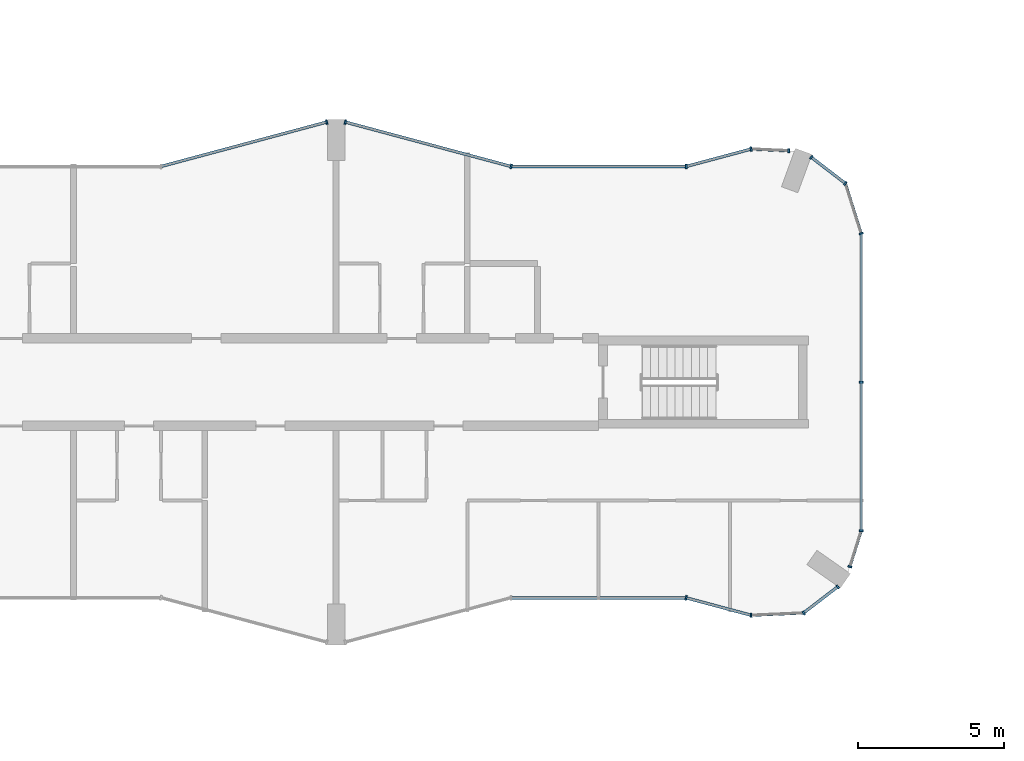
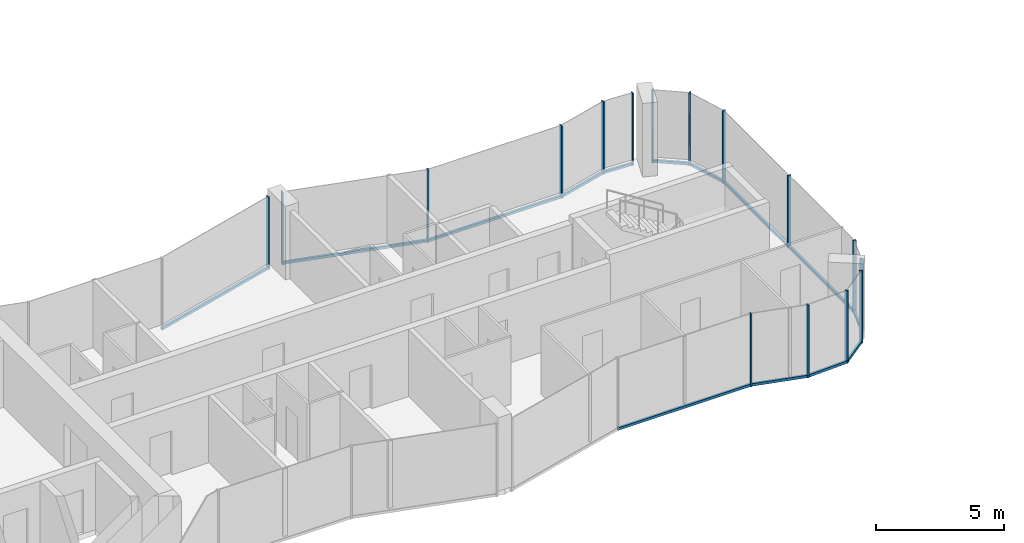
# One storey, part 5 of 19: 29 members, 13 elements without a shape of their own.
"""IFC4 building model written with IfcOpenShell, lengths in metres."""

from ifc_helpers import new_model, si_unit, direction, frame, origin, origin_2d, place, context, subcontext, project, spatial, rectangle, extrude, material, layer, layer_set, material_profile, profile_set, type_object, element, aggregate, save


model = new_model("IFC4")

# Units and contexts
model_context = context("Model", 3, precision=1e-05, world=origin(), true_north=direction((0.0, 1.0)))
body_context = subcontext(model_context, "Body", "Model", "MODEL_VIEW")
ifc_project = project(units=[si_unit("LENGTHUNIT", "METRE"), si_unit("AREAUNIT", "SQUARE_METRE"), si_unit("VOLUMEUNIT", "CUBIC_METRE"), si_unit("PLANEANGLEUNIT", "RADIAN"), si_unit("MASSUNIT", "GRAM", prefix="KILO")], contexts=[model_context])

# Site, building, storey
site_placement = place(None, origin())
site = spatial("IfcSite", under=ifc_project, at=site_placement, CompositionType="ELEMENT")
building_placement = place(site_placement, origin())
building = spatial("IfcBuilding", under=site, at=building_placement, Name="Plateau Cross Towers", CompositionType="ELEMENT")
storey_placement = place(building_placement, frame((0.0, 0.0, 120.300048828125)))
storey = spatial("IfcBuildingStorey", under=building, at=storey_placement, Name="L31", CompositionType="ELEMENT", Elevation=120.300048828125)

# Curtain wall, member
ifc_material_1 = material(Name="Dark low-iron glass", Category="glass")
ifc_layer_1 = layer(ifc_material_1, 0.239990234375)
ifc_layer_set_1 = layer_set([ifc_layer_1], Name="Dark low-iron glass")
curtain_wall_type_1 = type_object("IfcCurtainWallType", Name="Curtain wall flush unitised CW-B", PredefinedType="NOTDEFINED", material=ifc_layer_set_1)
curtain_wall_1_placement = place(storey_placement, origin())
curtain_wall_1 = element("IfcCurtainWall", 1, at=curtain_wall_1_placement, inside=storey, type_object=curtain_wall_type_1, Name="ENV/A/L31/A502_10", PredefinedType="NOTDEFINED")
ifc_material_2 = material(Name="Black anodised aluminium", Category="aluminium")
ifc_material_profile_1 = material_profile(ifc_material_2, rectangle(XDim=0.06005859375, YDim=0.139892578125, at=origin_2d()), Name="MULLION 60x140")
ifc_profile_set_1 = profile_set([ifc_material_profile_1], Name="Black anodised aluminium")
member_type_1 = type_object("IfcMemberType", Name="Mullion 60x140 flush unitised", PredefinedType="MULLION", material=ifc_profile_set_1)
member_1_placement = place(storey_placement, frame((50.223876953125, 1.01123046875, -0.25), z_axis=(0.0, 0.0, 1.0), x_axis=(0.999043701491, 0.043722791671, 0.0)))
member_1 = element("IfcMember", 2, at=member_1_placement, type_object=member_type_1, Name="CW-B mullion 1", PredefinedType="MULLION", context=body_context, shape_type="SweptSolid", body=[
    extrude(rectangle(XDim=0.06005859375, YDim=0.139892578125, at=origin_2d()), origin(), (0.0, 0.0, 1.0), 3.449951171875),
])

# Curtain wall, members
curtain_wall_2_placement = place(storey_placement, origin())
curtain_wall_2 = element("IfcCurtainWall", 3, at=curtain_wall_2_placement, inside=storey, type_object=curtain_wall_type_1, Name="ENV/A/L31/A520_11", PredefinedType="NOTDEFINED")
member_2_placement = place(storey_placement, frame((52.0263671875, 1.090087890625, -0.25), z_axis=(0.0, 0.0, 1.0), x_axis=(0.793315514529, 0.608810721331, 0.0)))
member_2 = element("IfcMember", 4, at=member_2_placement, type_object=member_type_1, Name="CW-B mullion 1", PredefinedType="MULLION", context=body_context, shape_type="SweptSolid", body=[
    extrude(rectangle(XDim=0.06005859375, YDim=0.139892578125, at=origin_2d()), origin(), (0.0, 0.0, 1.0), 3.449951171875),
])
member_3_placement = place(storey_placement, frame((53.193603515625, 1.986083984375, -0.25), z_axis=(0.0, 0.0, 1.0), x_axis=(0.793315514529, 0.608810721331, 0.0)))
member_3 = element("IfcMember", 5, at=member_3_placement, type_object=member_type_1, Name="CW-B mullion 2", PredefinedType="MULLION", context=body_context, shape_type="SweptSolid", body=[
    extrude(rectangle(XDim=0.06005859375, YDim=0.139892578125, at=origin_2d()), origin(), (0.0, 0.0, 1.0), 3.449951171875),
])

# Curtain wall, member
curtain_wall_3_placement = place(storey_placement, origin())
curtain_wall_3 = element("IfcCurtainWall", 6, at=curtain_wall_3_placement, inside=storey, type_object=curtain_wall_type_1, Name="ENV/A/L31/A536_27", PredefinedType="NOTDEFINED")
member_4_placement = place(storey_placement, frame((53.611083984375, 2.67529296875, -0.25), z_axis=(0.0, 0.0, 1.0), x_axis=(0.300686174994, 0.95372313811, 0.0)))
member_4 = element("IfcMember", 7, at=member_4_placement, type_object=member_type_1, Name="CW-B mullion 1", PredefinedType="MULLION", context=body_context, shape_type="SweptSolid", body=[
    extrude(rectangle(XDim=0.06005859375, YDim=0.139892578125, at=origin_2d()), origin(), (0.0, 0.0, 1.0), 3.449951171875),
])

# Curtain wall, members
curtain_wall_4_placement = place(storey_placement, origin())
curtain_wall_4 = element("IfcCurtainWall", 8, at=curtain_wall_4_placement, inside=storey, type_object=curtain_wall_type_1, Name="ENV/A/L31/A540_39", PredefinedType="NOTDEFINED")
member_5_placement = place(storey_placement, frame((54.0, 3.9091796875, -0.25), z_axis=(0.0, 0.0, 1.0), x_axis=(0.0, 1.0, 0.0)))
member_5 = element("IfcMember", 9, at=member_5_placement, type_object=member_type_1, Name="CW-B mullion 1", PredefinedType="MULLION", context=body_context, shape_type="SweptSolid", body=[
    extrude(rectangle(XDim=0.06005859375, YDim=0.139892578125, at=origin_2d()), origin(), (0.0, 0.0, 1.0), 3.449951171875),
])
member_6_placement = place(storey_placement, frame((54.0, 9.0, -0.25), z_axis=(0.0, 0.0, 1.0), x_axis=(0.0, 1.0, 0.0)))
member_6 = element("IfcMember", 10, at=member_6_placement, type_object=member_type_1, Name="CW-B mullion 2", PredefinedType="MULLION", context=body_context, shape_type="SweptSolid", body=[
    extrude(rectangle(XDim=0.06005859375, YDim=0.139892578125, at=origin_2d()), origin(), (0.0, 0.0, 1.0), 3.449951171875),
])

# Curtain wall, member
curtain_wall_5_placement = place(storey_placement, origin())
curtain_wall_5 = element("IfcCurtainWall", 11, at=curtain_wall_5_placement, inside=storey, type_object=curtain_wall_type_1, Name="ENV/A/L31/A540_141", PredefinedType="NOTDEFINED")
member_7_placement = place(storey_placement, frame((54.0, 14.0908203125, -0.25), z_axis=(0.0, 0.0, 1.0), x_axis=(-0.300686174994, 0.95372313811, 0.0)))
member_7 = element("IfcMember", 12, at=member_7_placement, type_object=member_type_1, Name="CW-B mullion 1", PredefinedType="MULLION", context=body_context, shape_type="SweptSolid", body=[
    extrude(rectangle(XDim=0.06005859375, YDim=0.139892578125, at=origin_2d()), origin(), (0.0, 0.0, 1.0), 3.449951171875),
])

# Curtain wall, members
curtain_wall_6_placement = place(storey_placement, origin())
curtain_wall_6 = element("IfcCurtainWall", 13, at=curtain_wall_6_placement, inside=storey, type_object=curtain_wall_type_1, Name="ENV/A/L31/A535_158", PredefinedType="NOTDEFINED")
member_8_placement = place(storey_placement, frame((53.45751953125, 15.8115234375, -0.25), z_axis=(0.0, 0.0, 1.0), x_axis=(-0.793315514529, 0.608810721331, 0.0)))
member_8 = element("IfcMember", 14, at=member_8_placement, type_object=member_type_1, Name="CW-B mullion 1", PredefinedType="MULLION", context=body_context, shape_type="SweptSolid", body=[
    extrude(rectangle(XDim=0.06005859375, YDim=0.139892578125, at=origin_2d()), origin(), (0.0, 0.0, 1.0), 3.449951171875),
])
member_9_placement = place(storey_placement, frame((52.290283203125, 16.707275390625, -0.25), z_axis=(0.0, 0.0, 1.0), x_axis=(-0.793315514529, 0.608810721331, 0.0)))
member_9 = element("IfcMember", 15, at=member_9_placement, type_object=member_type_1, Name="CW-B mullion 2", PredefinedType="MULLION", context=body_context, shape_type="SweptSolid", body=[
    extrude(rectangle(XDim=0.06005859375, YDim=0.139892578125, at=origin_2d()), origin(), (0.0, 0.0, 1.0), 3.449951171875),
])

# Curtain wall, member
curtain_wall_7_placement = place(storey_placement, origin())
curtain_wall_7 = element("IfcCurtainWall", 16, at=curtain_wall_7_placement, inside=storey, type_object=curtain_wall_type_1, Name="ENV/A/L31/A515_169", PredefinedType="NOTDEFINED")
member_10_placement = place(storey_placement, frame((51.516357421875, 16.93212890625, -0.25), z_axis=(0.0, 0.0, 1.0), x_axis=(-0.999043701491, 0.043722791671, 0.0)))
member_10 = element("IfcMember", 17, at=member_10_placement, type_object=member_type_1, Name="CW-B mullion 1", PredefinedType="MULLION", context=body_context, shape_type="SweptSolid", body=[
    extrude(rectangle(XDim=0.06005859375, YDim=0.139892578125, at=origin_2d()), origin(), (0.0, 0.0, 1.0), 3.449951171875),
])

ifc_layer_2 = layer(ifc_material_1, 0.260009765625)
ifc_layer_set_2 = layer_set([ifc_layer_2], Name="Dark low-iron glass")
curtain_wall_type_2 = type_object("IfcCurtainWallType", Name="Curtain wall fluted unitised CW-A", PredefinedType="NOTDEFINED", material=ifc_layer_set_2)
curtain_wall_8_placement = place(storey_placement, origin())
curtain_wall_8 = element("IfcCurtainWall", 18, at=curtain_wall_8_placement, inside=storey, type_object=curtain_wall_type_2, Name="ENV/A/L31/A480_16", PredefinedType="NOTDEFINED")
ifc_material_profile_2 = material_profile(ifc_material_2, rectangle(XDim=0.06005859375, YDim=0.159912109375, at=origin_2d()), Name="MULLION 60x160")
ifc_profile_set_2 = profile_set([ifc_material_profile_2], Name="Black anodised aluminium")
member_type_2 = type_object("IfcMemberType", Name="Mullion 60x160 fluted unitised", PredefinedType="MULLION", material=ifc_profile_set_2)
member_11_placement = place(storey_placement, frame((48.0, 1.60693359375, -0.25), z_axis=(0.0, 0.0, 1.0), x_axis=(0.965957962328, -0.258699081978, 0.0)))
member_11 = element("IfcMember", 19, at=member_11_placement, type_object=member_type_2, Name="CW-A mullion 1", PredefinedType="MULLION", context=body_context, shape_type="SweptSolid", body=[
    extrude(rectangle(XDim=0.06005859375, YDim=0.159912109375, at=origin_2d()), origin(), (0.0, 0.0, 1.0), 3.449951171875),
])

curtain_wall_9_placement = place(storey_placement, origin())
curtain_wall_9 = element("IfcCurtainWall", 20, at=curtain_wall_9_placement, inside=storey, type_object=curtain_wall_type_2, Name="ENV/A/L31/A502_170", PredefinedType="NOTDEFINED")
member_12_placement = place(storey_placement, frame((50.223876953125, 16.98876953125, -0.25), z_axis=(0.0, 0.0, 1.0), x_axis=(-0.965957962328, -0.258699081978, 0.0)))
member_12 = element("IfcMember", 21, at=member_12_placement, type_object=member_type_2, Name="CW-A mullion 1", PredefinedType="MULLION", context=body_context, shape_type="SweptSolid", body=[
    extrude(rectangle(XDim=0.06005859375, YDim=0.159912109375, at=origin_2d()), origin(), (0.0, 0.0, 1.0), 3.449951171875),
])

curtain_wall_10_placement = place(storey_placement, origin())
curtain_wall_10 = element("IfcCurtainWall", 22, at=curtain_wall_10_placement, inside=storey, type_object=curtain_wall_type_2, Name="ENV/A/L31/A480_164", PredefinedType="NOTDEFINED")
member_13_placement = place(storey_placement, frame((48.0, 16.39306640625, -0.25), z_axis=(0.0, 0.0, 1.0), x_axis=(-1.0, 0.0, 0.0)))
member_13 = element("IfcMember", 23, at=member_13_placement, type_object=member_type_2, Name="CW-A mullion 1", PredefinedType="MULLION", context=body_context, shape_type="SweptSolid", body=[
    extrude(rectangle(XDim=0.06005859375, YDim=0.159912109375, at=origin_2d()), origin(), (0.0, 0.0, 1.0), 3.449951171875),
])

# Curtain wall, members
curtain_wall_11_placement = place(storey_placement, origin())
curtain_wall_11 = element("IfcCurtainWall", 24, at=curtain_wall_11_placement, inside=storey, type_object=curtain_wall_type_2, Name="ENV/A/L31/A420_164", PredefinedType="NOTDEFINED")
member_14_placement = place(storey_placement, frame((42.0, 16.39306640625, -0.25), z_axis=(0.0, 0.0, 1.0), x_axis=(-0.965957983404, 0.258699003279, 0.0)))
member_14 = element("IfcMember", 25, at=member_14_placement, type_object=member_type_2, Name="CW-A mullion 1", PredefinedType="MULLION", context=body_context, shape_type="SweptSolid", body=[
    extrude(rectangle(XDim=0.06005859375, YDim=0.159912109375, at=origin_2d()), origin(), (0.0, 0.0, 1.0), 3.449951171875),
])
member_15_placement = place(storey_placement, frame((36.31787109375, 17.914794921875, -0.25), z_axis=(0.0, 0.0, 1.0), x_axis=(-0.965957983404, 0.258699003279, 0.0)))
member_15 = element("IfcMember", 26, at=member_15_placement, type_object=member_type_2, Name="CW-A mullion 2", PredefinedType="MULLION", context=body_context, shape_type="SweptSolid", body=[
    extrude(rectangle(XDim=0.06005859375, YDim=0.159912109375, at=origin_2d()), origin(), (0.0, 0.0, 1.0), 3.449951171875),
])

# Curtain wall, member
curtain_wall_12_placement = place(storey_placement, origin())
curtain_wall_12 = element("IfcCurtainWall", 27, at=curtain_wall_12_placement, inside=storey, type_object=curtain_wall_type_2, Name="ENV/A/L31/A357_179", PredefinedType="NOTDEFINED")
member_16_placement = place(storey_placement, frame((35.68212890625, 17.914794921875, -0.25), z_axis=(0.0, 0.0, 1.0), x_axis=(-0.965957983404, -0.258699003279, 0.0)))
member_16 = element("IfcMember", 28, at=member_16_placement, type_object=member_type_2, Name="CW-A mullion 1", PredefinedType="MULLION", context=body_context, shape_type="SweptSolid", body=[
    extrude(rectangle(XDim=0.06005859375, YDim=0.159912109375, at=origin_2d()), origin(), (0.0, 0.0, 1.0), 3.449951171875),
])

# Member
ifc_material_profile_3 = material_profile(ifc_material_2, rectangle(XDim=0.10009765625, YDim=0.1201171875, at=origin_2d()), Name="TRANSOM 100x120")
ifc_profile_set_3 = profile_set([ifc_material_profile_3], Name="Black anodised aluminium")
member_type_3 = type_object("IfcMemberType", Name="Transom 100x120 flush unitised", PredefinedType="USERDEFINED", material=ifc_profile_set_3)
member_17_placement = place(storey_placement, frame((50.223876953125, 1.01123046875, -0.18994140625), z_axis=(0.999044377355, 0.043707345779, 0.0), x_axis=(-0.043707345779, 0.999044377355, 0.0)))
member_17 = element("IfcMember", 29, at=member_17_placement, type_object=member_type_3, Name="CW-B transom", ObjectType="TRANSOM", PredefinedType="USERDEFINED", context=body_context, shape_type="SweptSolid", body=[
    extrude(rectangle(XDim=0.10009765625, YDim=0.1201171875, at=origin_2d()), origin(), (0.0, 0.0, 1.0), 1.80419921875),
])

aggregate(curtain_wall_1, [member_1, member_17])

member_18_placement = place(storey_placement, frame((52.0263671875, 1.090087890625, -0.18994140625), z_axis=(0.793240368515, 0.608908628415, 0.0), x_axis=(-0.608908628415, 0.793240368515, 0.0)))
member_18 = element("IfcMember", 30, at=member_18_placement, type_object=member_type_3, Name="CW-B transom", ObjectType="TRANSOM", PredefinedType="USERDEFINED", context=body_context, shape_type="SweptSolid", body=[
    extrude(rectangle(XDim=0.10009765625, YDim=0.1201171875, at=origin_2d()), origin(), (0.0, 0.0, 1.0), 1.471435546875),
])

aggregate(curtain_wall_2, [member_2, member_3, member_18])

member_19_placement = place(storey_placement, frame((53.611083984375, 2.67529296875, -0.18994140625), z_axis=(0.300616528216, 0.953745093284, 0.0), x_axis=(-0.953745093284, 0.300616528216, 0.0)))
member_19 = element("IfcMember", 31, at=member_19_placement, type_object=member_type_3, Name="CW-B transom", ObjectType="TRANSOM", PredefinedType="USERDEFINED", context=body_context, shape_type="SweptSolid", body=[
    extrude(rectangle(XDim=0.10009765625, YDim=0.1201171875, at=origin_2d()), origin(), (0.0, 0.0, 1.0), 1.293701171875),
])

aggregate(curtain_wall_3, [member_4, member_19])

member_20_placement = place(storey_placement, frame((54.0, 3.9091796875, -0.18994140625), z_axis=(0.0, 1.0, 0.0), x_axis=(-1.0, 0.0, 0.0)))
member_20 = element("IfcMember", 32, at=member_20_placement, type_object=member_type_3, Name="CW-B transom", ObjectType="TRANSOM", PredefinedType="USERDEFINED", context=body_context, shape_type="SweptSolid", body=[
    extrude(rectangle(XDim=0.10009765625, YDim=0.1201171875, at=origin_2d()), origin(), (0.0, 0.0, 1.0), 10.181640625),
])

aggregate(curtain_wall_4, [member_5, member_6, member_20])

member_21_placement = place(storey_placement, frame((54.0, 14.0908203125, -0.18994140625), z_axis=(-0.30067799945, 0.953725715626, 0.0), x_axis=(-0.953725715626, -0.30067799945, 0.0)))
member_21 = element("IfcMember", 33, at=member_21_placement, type_object=member_type_3, Name="CW-B transom", ObjectType="TRANSOM", PredefinedType="USERDEFINED", context=body_context, shape_type="SweptSolid", body=[
    extrude(rectangle(XDim=0.10009765625, YDim=0.1201171875, at=origin_2d()), origin(), (0.0, 0.0, 1.0), 1.80419921875),
])

aggregate(curtain_wall_5, [member_7, member_21])

member_22_placement = place(storey_placement, frame((53.45751953125, 15.8115234375, -0.18994140625), z_axis=(-0.793320508571, 0.608804213751, 0.0), x_axis=(-0.608804213751, -0.793320508571, 0.0)))
member_22 = element("IfcMember", 34, at=member_22_placement, type_object=member_type_3, Name="CW-B transom", ObjectType="TRANSOM", PredefinedType="USERDEFINED", context=body_context, shape_type="SweptSolid", body=[
    extrude(rectangle(XDim=0.10009765625, YDim=0.1201171875, at=origin_2d()), origin(), (0.0, 0.0, 1.0), 1.471435546875),
])

aggregate(curtain_wall_6, [member_8, member_9, member_22])

member_23_placement = place(storey_placement, frame((51.516357421875, 16.93212890625, -0.18994140625), z_axis=(-0.999041144614, 0.043781175963, 0.0), x_axis=(-0.043781175963, -0.999041144614, 0.0)))
member_23 = element("IfcMember", 35, at=member_23_placement, type_object=member_type_3, Name="CW-B transom", ObjectType="TRANSOM", PredefinedType="USERDEFINED", context=body_context, shape_type="SweptSolid", body=[
    extrude(rectangle(XDim=0.10009765625, YDim=0.1201171875, at=origin_2d()), origin(), (0.0, 0.0, 1.0), 1.293701171875),
])

aggregate(curtain_wall_7, [member_10, member_23])

# Curtain wall, member
curtain_wall_13_placement = place(storey_placement, origin())
curtain_wall_13 = element("IfcCurtainWall", 36, at=curtain_wall_13_placement, inside=storey, type_object=curtain_wall_type_2, Name="ENV/A/L31/A420_16", PredefinedType="NOTDEFINED")
ifc_material_profile_4 = material_profile(ifc_material_2, rectangle(XDim=0.10009765625, YDim=0.1201171875, at=origin_2d()), Name="TRANSOM 100x120")
ifc_profile_set_4 = profile_set([ifc_material_profile_4], Name="Black anodised aluminium")
member_type_4 = type_object("IfcMemberType", Name="Transom 100x120 fluted unitised", PredefinedType="USERDEFINED", material=ifc_profile_set_4)
member_24_placement = place(storey_placement, frame((42.0, 1.60693359375, -0.18994140625), z_axis=(1.0, 0.0, 0.0), x_axis=(0.0, 1.0, 0.0)))
member_24 = element("IfcMember", 37, at=member_24_placement, type_object=member_type_4, Name="CW-A transom", ObjectType="TRANSOM", PredefinedType="USERDEFINED", context=body_context, shape_type="SweptSolid", body=[
    extrude(rectangle(XDim=0.10009765625, YDim=0.1201171875, at=origin_2d()), origin(), (0.0, 0.0, 1.0), 6.0),
])
aggregate(curtain_wall_13, [member_24])

# Member
member_25_placement = place(storey_placement, frame((48.0, 1.60693359375, -0.18994140625), z_axis=(0.965945685136, -0.258744919501, 0.0), x_axis=(0.258744919501, 0.965945685136, 0.0)))
member_25 = element("IfcMember", 38, at=member_25_placement, type_object=member_type_4, Name="CW-A transom", ObjectType="TRANSOM", PredefinedType="USERDEFINED", context=body_context, shape_type="SweptSolid", body=[
    extrude(rectangle(XDim=0.10009765625, YDim=0.1201171875, at=origin_2d()), origin(), (0.0, 0.0, 1.0), 2.30224609375),
])

aggregate(curtain_wall_8, [member_11, member_25])

member_26_placement = place(storey_placement, frame((50.223876953125, 16.98876953125, -0.18994140625), z_axis=(-0.965945685136, -0.258744919501, 0.0), x_axis=(0.258744919501, -0.965945685136, 0.0)))
member_26 = element("IfcMember", 39, at=member_26_placement, type_object=member_type_4, Name="CW-A transom", ObjectType="TRANSOM", PredefinedType="USERDEFINED", context=body_context, shape_type="SweptSolid", body=[
    extrude(rectangle(XDim=0.10009765625, YDim=0.1201171875, at=origin_2d()), origin(), (0.0, 0.0, 1.0), 2.30224609375),
])

aggregate(curtain_wall_9, [member_12, member_26])

member_27_placement = place(storey_placement, frame((48.0, 16.39306640625, -0.18994140625), z_axis=(-1.0, 0.0, 0.0), x_axis=(0.0, -1.0, 0.0)))
member_27 = element("IfcMember", 40, at=member_27_placement, type_object=member_type_4, Name="CW-A transom", ObjectType="TRANSOM", PredefinedType="USERDEFINED", context=body_context, shape_type="SweptSolid", body=[
    extrude(rectangle(XDim=0.10009765625, YDim=0.1201171875, at=origin_2d()), origin(), (0.0, 0.0, 1.0), 6.0),
])

aggregate(curtain_wall_10, [member_13, member_27])

member_28_placement = place(storey_placement, frame((42.0, 16.39306640625, -0.18994140625), z_axis=(-0.965959534794, 0.258693210465, 0.0), x_axis=(-0.258693210465, -0.965959534794, 0.0)))
member_28 = element("IfcMember", 41, at=member_28_placement, type_object=member_type_4, Name="CW-A transom", ObjectType="TRANSOM", PredefinedType="USERDEFINED", context=body_context, shape_type="SweptSolid", body=[
    extrude(rectangle(XDim=0.10009765625, YDim=0.1201171875, at=origin_2d()), origin(), (0.0, 0.0, 1.0), 5.88232421875),
])

aggregate(curtain_wall_11, [member_14, member_15, member_28])

member_29_placement = place(storey_placement, frame((35.68212890625, 17.914794921875, -0.18994140625), z_axis=(-0.965959534794, -0.258693210465, 0.0), x_axis=(0.258693210465, -0.965959534794, 0.0)))
member_29 = element("IfcMember", 42, at=member_29_placement, type_object=member_type_4, Name="CW-A transom", ObjectType="TRANSOM", PredefinedType="USERDEFINED", context=body_context, shape_type="SweptSolid", body=[
    extrude(rectangle(XDim=0.10009765625, YDim=0.1201171875, at=origin_2d()), origin(), (0.0, 0.0, 1.0), 5.88232421875),
])

aggregate(curtain_wall_12, [member_16, member_29])

save(model, "model.ifc")
